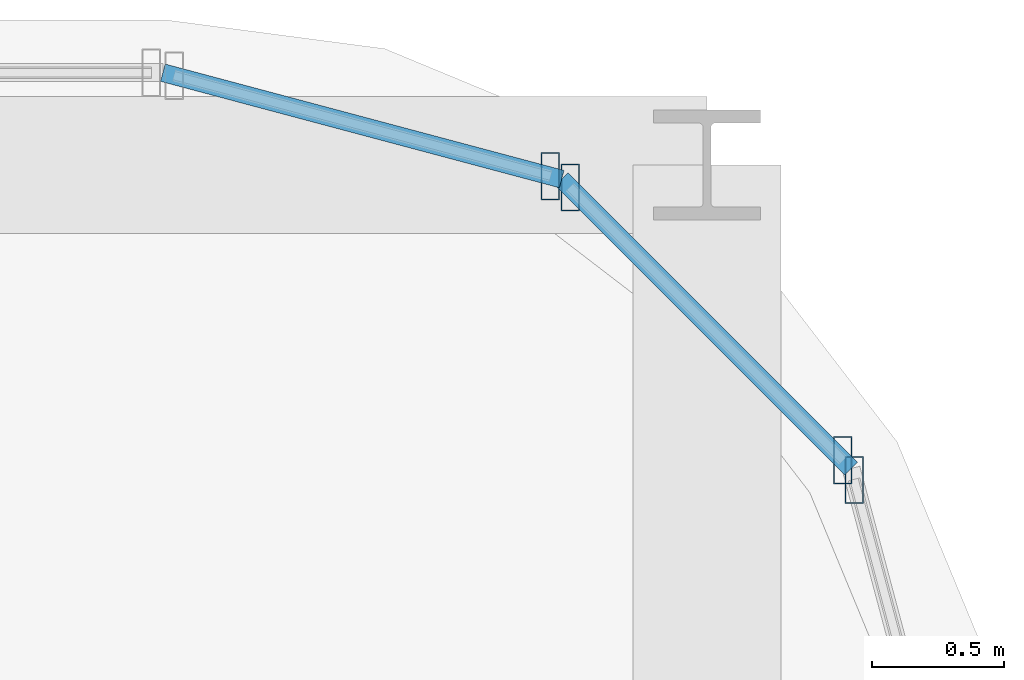
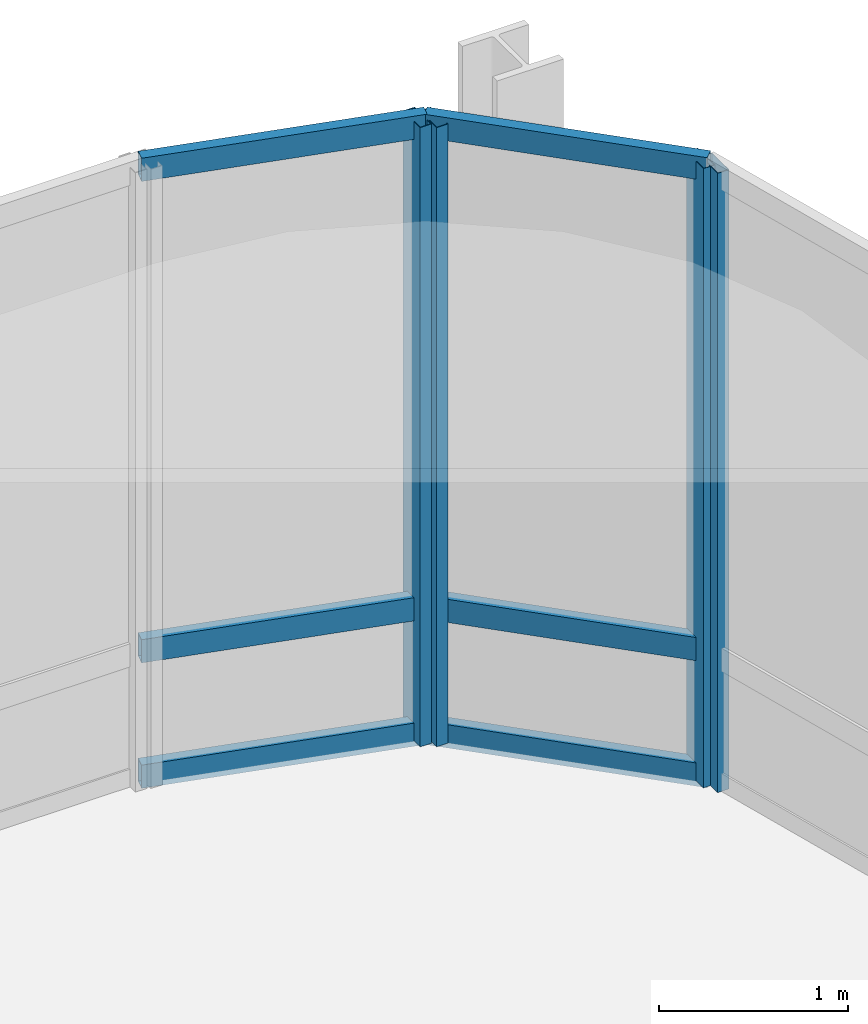
# One storey, part 31 of 41: 10 members, 3 elements without a shape of their own.
"""IFC4 building model written with IfcOpenShell, lengths in metres."""

from ifc_helpers import new_model, si_unit, direction, frame, origin, origin_2d, place, context, subcontext, project, spatial, hollow_rectangle, extrude, material, material_profile, profile_set, type_object, element, aggregate, save


model = new_model("IFC4")

# Units and contexts
model_context = context("Model", 3, precision=1e-05, world=origin(), true_north=direction((0.0, 1.0)))
body_context = subcontext(model_context, "Body", "Model", "MODEL_VIEW")
ifc_project = project(units=[si_unit("LENGTHUNIT", "METRE"), si_unit("AREAUNIT", "SQUARE_METRE"), si_unit("VOLUMEUNIT", "CUBIC_METRE"), si_unit("PLANEANGLEUNIT", "RADIAN"), si_unit("MASSUNIT", "GRAM", prefix="KILO")], contexts=[model_context])

# Site, building, storey
site_placement = place(None, origin())
site = spatial("IfcSite", under=ifc_project, at=site_placement, CompositionType="ELEMENT")
building_placement = place(site_placement, origin())
building = spatial("IfcBuilding", under=site, at=building_placement, Name="Punatoya Terracotta Tower", CompositionType="ELEMENT")
storey_placement = place(building_placement, frame((0.0, 0.0, 309.0)))
storey = spatial("IfcBuildingStorey", under=building, at=storey_placement, Name="L73", CompositionType="ELEMENT", Elevation=309.0)

# Curtain wall, member
ifc_material_1 = material(Name="Aluminium 6063-T6 + Double Low-E Glass", Category="aluminium")
curtain_wall_type = type_object("IfcCurtainWallType", Name="CW-M3", PredefinedType="NOTDEFINED", material=ifc_material_1)
curtain_wall_1_placement = place(storey_placement, origin())
curtain_wall_1 = element("IfcCurtainWall", 1, at=curtain_wall_1_placement, inside=storey, type_object=curtain_wall_type, Name="L73 Curtain Wall CW-L73-CRN06", PredefinedType="NOTDEFINED")
ifc_material_2 = material(Name="Aluminium 6063-T6", Category="aluminium")
ifc_material_profile_1 = material_profile(ifc_material_2, hollow_rectangle(XDim=0.070068359375, YDim=0.179931640625, WallThickness=0.00390625, at=origin_2d()))
ifc_profile_set_1 = profile_set([ifc_material_profile_1], Name="Aluminium 6063-T6")
member_type_1 = type_object("IfcMemberType", Name="CW-MUL-M3", PredefinedType="MULLION", material=ifc_profile_set_1)
member_1_placement = place(storey_placement, frame((19.658203125, 21.70556640625, 0.0), z_axis=(0.0, 0.0, 1.0), x_axis=(1.0, 0.0, 0.0)))
member_1 = element("IfcMember", 2, at=member_1_placement, type_object=member_type_1, Name="CW-L73-CRN06 Mullion 01", PredefinedType="MULLION", context=body_context, shape_type="SweptSolid", body=[
    extrude(hollow_rectangle(XDim=0.070068359375, YDim=0.179931640625, WallThickness=0.00390625, at=origin_2d()), origin(), (0.0, 0.0, 1.0), 4.0),
])
aggregate(curtain_wall_1, [member_1])

# Curtain wall, members
curtain_wall_2_placement = place(storey_placement, origin())
curtain_wall_2 = element("IfcCurtainWall", 3, at=curtain_wall_2_placement, inside=storey, type_object=curtain_wall_type, Name="L73 Curtain Wall CW-L73-CRN07", PredefinedType="NOTDEFINED")
member_2_placement = place(storey_placement, frame((19.61474609375, 21.781005859375, 0.0), z_axis=(0.0, 0.0, 1.0), x_axis=(1.0, 0.0, 0.0)))
member_2 = element("IfcMember", 4, at=member_2_placement, type_object=member_type_1, Name="CW-L73-CRN07 Mullion 00", PredefinedType="MULLION", context=body_context, shape_type="SweptSolid", body=[
    extrude(hollow_rectangle(XDim=0.070068359375, YDim=0.179931640625, WallThickness=0.00390625, at=origin_2d()), origin(), (0.0, 0.0, 1.0), 4.0),
])
member_3_placement = place(storey_placement, frame((18.580810546875, 22.814697265625, 0.0), z_axis=(0.0, 0.0, 1.0), x_axis=(1.0, 0.0, 0.0)))
member_3 = element("IfcMember", 5, at=member_3_placement, type_object=member_type_1, Name="CW-L73-CRN07 Mullion 01", PredefinedType="MULLION", context=body_context, shape_type="SweptSolid", body=[
    extrude(hollow_rectangle(XDim=0.070068359375, YDim=0.179931640625, WallThickness=0.00390625, at=origin_2d()), origin(), (0.0, 0.0, 1.0), 4.0),
])

# Curtain wall, member
curtain_wall_3_placement = place(storey_placement, origin())
curtain_wall_3 = element("IfcCurtainWall", 6, at=curtain_wall_3_placement, inside=storey, type_object=curtain_wall_type, Name="L73 Curtain Wall CW-L73-CRN08", PredefinedType="NOTDEFINED")
member_4_placement = place(storey_placement, frame((18.505615234375, 22.858154296875, 0.0), z_axis=(0.0, 0.0, 1.0), x_axis=(1.0, 0.0, 0.0)))
member_4 = element("IfcMember", 7, at=member_4_placement, type_object=member_type_1, Name="CW-L73-CRN08 Mullion 00", PredefinedType="MULLION", context=body_context, shape_type="SweptSolid", body=[
    extrude(hollow_rectangle(XDim=0.070068359375, YDim=0.179931640625, WallThickness=0.00390625, at=origin_2d()), origin(), (0.0, 0.0, 1.0), 4.0),
])

# Member
ifc_material_profile_2 = material_profile(ifc_material_2, hollow_rectangle(XDim=0.068115234375, YDim=0.14990234375, WallThickness=0.00390625, at=origin_2d()))
ifc_profile_set_2 = profile_set([ifc_material_profile_2], Name="Aluminium 6063-T6")
member_type_2 = type_object("IfcMemberType", Name="CW-TRN-TYP", PredefinedType="USERDEFINED", material=ifc_profile_set_2)
member_5_placement = place(storey_placement, frame((19.646484375, 21.7490234375, 0.0400390625), z_axis=(-0.707028130747, 0.707185422879, 0.0), x_axis=(-0.707185422879, -0.707028130747, 0.0)))
member_5 = element("IfcMember", 8, at=member_5_placement, type_object=member_type_2, Name="CW-L73-CRN07 Transom 1", ObjectType="TRANSOM", PredefinedType="USERDEFINED", context=body_context, shape_type="SweptSolid", body=[
    extrude(hollow_rectangle(XDim=0.068115234375, YDim=0.14990234375, WallThickness=0.00390625, at=origin_2d()), origin(), (0.0, 0.0, 1.0), 1.55224609375),
])

member_6_placement = place(storey_placement, frame((19.646484375, 21.7490234375, 0.85009765625), z_axis=(-0.707028130747, 0.707185422879, 0.0), x_axis=(-0.707185422879, -0.707028130747, 0.0)))
member_6 = element("IfcMember", 9, at=member_6_placement, type_object=member_type_2, Name="CW-L73-CRN07 Transom 2", ObjectType="TRANSOM", PredefinedType="USERDEFINED", context=body_context, shape_type="SweptSolid", body=[
    extrude(hollow_rectangle(XDim=0.068115234375, YDim=0.14990234375, WallThickness=0.00390625, at=origin_2d()), origin(), (0.0, 0.0, 1.0), 1.55224609375),
])

member_7_placement = place(storey_placement, frame((19.646484375, 21.7490234375, 3.9599609375), z_axis=(-0.707028130747, 0.707185422879, 0.0), x_axis=(-0.707185422879, -0.707028130747, 0.0)))
member_7 = element("IfcMember", 10, at=member_7_placement, type_object=member_type_2, Name="CW-L73-CRN07 Transom 3", ObjectType="TRANSOM", PredefinedType="USERDEFINED", context=body_context, shape_type="SweptSolid", body=[
    extrude(hollow_rectangle(XDim=0.068115234375, YDim=0.14990234375, WallThickness=0.00390625, at=origin_2d()), origin(), (0.0, 0.0, 1.0), 1.55224609375),
])

aggregate(curtain_wall_2, [member_2, member_3, member_5, member_6, member_7])

member_8_placement = place(storey_placement, frame((18.549072265625, 22.8466796875, 0.0400390625), z_axis=(-0.966224582397, 0.257701486942, 0.0), x_axis=(-0.257701486942, -0.966224582397, 0.0)))
member_8 = element("IfcMember", 11, at=member_8_placement, type_object=member_type_2, Name="CW-L73-CRN08 Transom 1", ObjectType="TRANSOM", PredefinedType="USERDEFINED", context=body_context, shape_type="SweptSolid", body=[
    extrude(hollow_rectangle(XDim=0.068115234375, YDim=0.14990234375, WallThickness=0.00390625, at=origin_2d()), origin(), (0.0, 0.0, 1.0), 1.565185546875),
])

member_9_placement = place(storey_placement, frame((18.549072265625, 22.8466796875, 0.85009765625), z_axis=(-0.966224582397, 0.257701486942, 0.0), x_axis=(-0.257701486942, -0.966224582397, 0.0)))
member_9 = element("IfcMember", 12, at=member_9_placement, type_object=member_type_2, Name="CW-L73-CRN08 Transom 2", ObjectType="TRANSOM", PredefinedType="USERDEFINED", context=body_context, shape_type="SweptSolid", body=[
    extrude(hollow_rectangle(XDim=0.068115234375, YDim=0.14990234375, WallThickness=0.00390625, at=origin_2d()), origin(), (0.0, 0.0, 1.0), 1.565185546875),
])

member_10_placement = place(storey_placement, frame((18.549072265625, 22.8466796875, 3.9599609375), z_axis=(-0.966224582397, 0.257701486942, 0.0), x_axis=(-0.257701486942, -0.966224582397, 0.0)))
member_10 = element("IfcMember", 13, at=member_10_placement, type_object=member_type_2, Name="CW-L73-CRN08 Transom 3", ObjectType="TRANSOM", PredefinedType="USERDEFINED", context=body_context, shape_type="SweptSolid", body=[
    extrude(hollow_rectangle(XDim=0.068115234375, YDim=0.14990234375, WallThickness=0.00390625, at=origin_2d()), origin(), (0.0, 0.0, 1.0), 1.565185546875),
])

aggregate(curtain_wall_3, [member_4, member_8, member_9, member_10])

save(model, "model.ifc")
